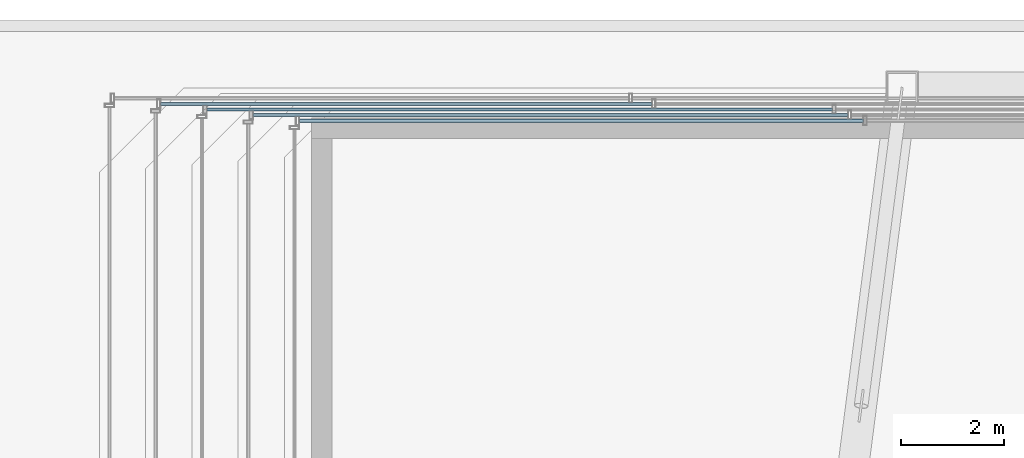
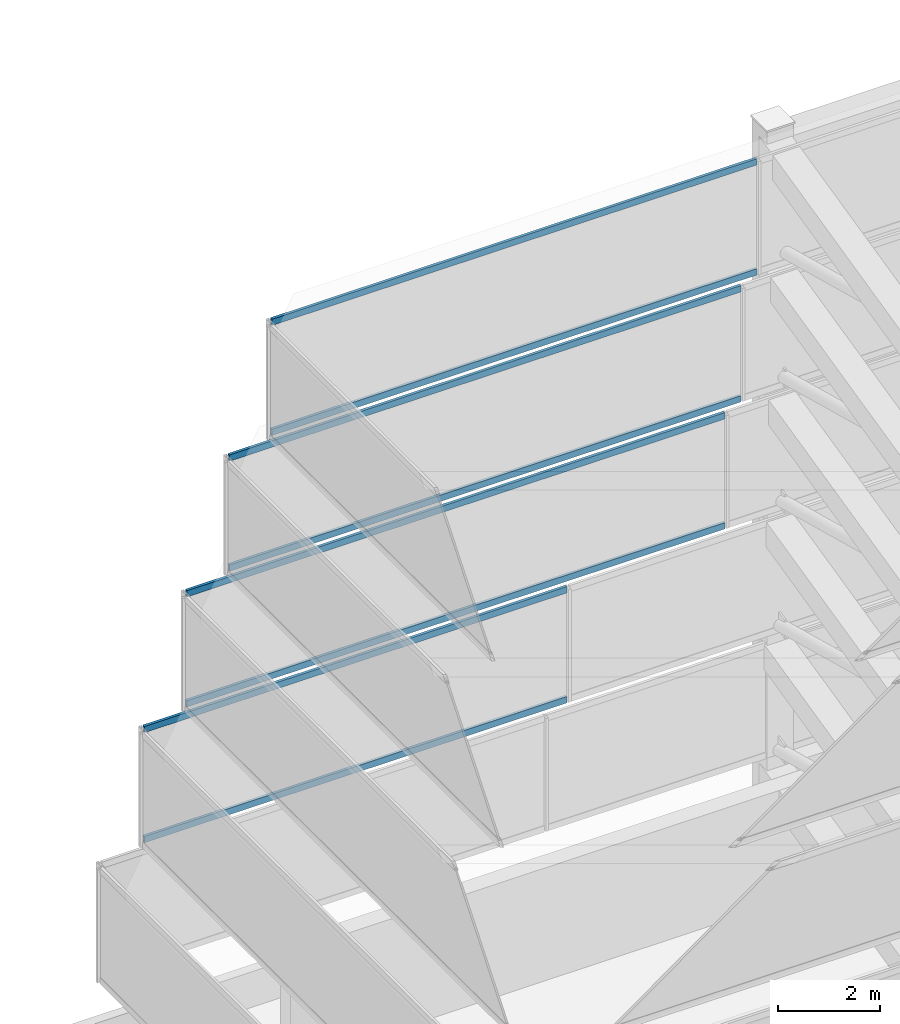
# One storey, part 13 of 29: 8 members, 4 elements without a shape of their own.
"""IFC4 building model written with IfcOpenShell, lengths in metres."""

from ifc_helpers import new_model, si_unit, direction, frame, origin, origin_2d, place, context, subcontext, project, spatial, hollow_rectangle, extrude, material, material_profile, profile_set, type_object, element, aggregate, save


model = new_model("IFC4")

# Units and contexts
model_context = context("Model", 3, precision=1e-05, world=origin(), true_north=direction((0.0, 1.0)))
body_context = subcontext(model_context, "Body", "Model", "MODEL_VIEW")
ifc_project = project(units=[si_unit("LENGTHUNIT", "METRE"), si_unit("AREAUNIT", "SQUARE_METRE"), si_unit("VOLUMEUNIT", "CUBIC_METRE"), si_unit("PLANEANGLEUNIT", "RADIAN"), si_unit("MASSUNIT", "GRAM", prefix="KILO")], contexts=[model_context])

# Site, building, storey
site_placement = place(None, origin())
site = spatial("IfcSite", under=ifc_project, at=site_placement, CompositionType="ELEMENT")
building_placement = place(site_placement, origin())
building = spatial("IfcBuilding", under=site, at=building_placement, Name="Saevonmaru Cultural Tower", CompositionType="ELEMENT")
storey_placement = place(building_placement, frame((0.0, 0.0, 327.60009765625)))
storey = spatial("IfcBuildingStorey", under=building, at=storey_placement, Name="RF", CompositionType="ELEMENT", Elevation=327.60009765625)

# Curtain wall, members
ifc_material = material(Name="Satin Bronze Anodised Aluminium", Category="aluminium")
curtain_wall_type = type_object("IfcCurtainWallType", Name="CW-TYP-B", PredefinedType="NOTDEFINED", material=ifc_material)
curtain_wall_1_placement = place(storey_placement, origin())
curtain_wall_1 = element("IfcCurtainWall", 1, at=curtain_wall_1_placement, inside=storey, type_object=curtain_wall_type, Name="RF Ziggurat Crown Tier 3 Bronze Louvre Screen 3", PredefinedType="NOTDEFINED")
ifc_material_profile = material_profile(ifc_material, hollow_rectangle(XDim=0.06494140625, YDim=0.14990234375, WallThickness=0.00390625, at=origin_2d()), Name="ALU-TRAN-150x65x4")
ifc_profile_set = profile_set([ifc_material_profile], Name="Satin Bronze Anodised Aluminium")
member_type = type_object("IfcMemberType", Name="TR-CW-150x65", PredefinedType="USERDEFINED", material=ifc_profile_set)
member_1_placement = place(storey_placement, frame((20.333984375, 54.47607421875, 6.032470703125), z_axis=(-1.0, 0.0, 0.0), x_axis=(0.0, -1.0, 0.0)))
member_1 = element("IfcMember", 2, at=member_1_placement, type_object=member_type, Name="CW-CROWN-T3-3 transom 4.1", ObjectType="TRANSOM", PredefinedType="USERDEFINED", context=body_context, shape_type="SweptSolid", body=[
    extrude(hollow_rectangle(XDim=0.06494140625, YDim=0.14990234375, WallThickness=0.00390625, at=origin_2d()), origin(), (0.0, 0.0, 1.0), 9.568603515625),
])
member_2_placement = place(storey_placement, frame((20.333984375, 54.47607421875, 8.66748046875), z_axis=(-1.0, 0.0, 0.0), x_axis=(0.0, -1.0, 0.0)))
member_2 = element("IfcMember", 3, at=member_2_placement, type_object=member_type, Name="CW-CROWN-T3-3 transom 4.2", ObjectType="TRANSOM", PredefinedType="USERDEFINED", context=body_context, shape_type="SweptSolid", body=[
    extrude(hollow_rectangle(XDim=0.06494140625, YDim=0.14990234375, WallThickness=0.00390625, at=origin_2d()), origin(), (0.0, 0.0, 1.0), 9.568603515625),
])
aggregate(curtain_wall_1, [member_1, member_2])

curtain_wall_2_placement = place(storey_placement, origin())
curtain_wall_2 = element("IfcCurtainWall", 4, at=curtain_wall_2_placement, inside=storey, type_object=curtain_wall_type, Name="RF Ziggurat Crown Tier 4 Bronze Louvre Screen 3", PredefinedType="NOTDEFINED")
member_3_placement = place(storey_placement, frame((23.84521484375, 54.367919921875, 9.032470703125), z_axis=(-1.0, 0.0, 0.0), x_axis=(0.0, -1.0, 0.0)))
member_3 = element("IfcMember", 5, at=member_3_placement, type_object=member_type, Name="CW-CROWN-T4-3 transom 3.1", ObjectType="TRANSOM", PredefinedType="USERDEFINED", context=body_context, shape_type="SweptSolid", body=[
    extrude(hollow_rectangle(XDim=0.06494140625, YDim=0.14990234375, WallThickness=0.00390625, at=origin_2d()), origin(), (0.0, 0.0, 1.0), 12.1796875),
])
member_4_placement = place(storey_placement, frame((23.84521484375, 54.367919921875, 11.66748046875), z_axis=(-1.0, 0.0, 0.0), x_axis=(0.0, -1.0, 0.0)))
member_4 = element("IfcMember", 6, at=member_4_placement, type_object=member_type, Name="CW-CROWN-T4-3 transom 3.2", ObjectType="TRANSOM", PredefinedType="USERDEFINED", context=body_context, shape_type="SweptSolid", body=[
    extrude(hollow_rectangle(XDim=0.06494140625, YDim=0.14990234375, WallThickness=0.00390625, at=origin_2d()), origin(), (0.0, 0.0, 1.0), 12.1796875),
])
aggregate(curtain_wall_2, [member_3, member_4])

curtain_wall_3_placement = place(storey_placement, origin())
curtain_wall_3 = element("IfcCurtainWall", 7, at=curtain_wall_3_placement, inside=storey, type_object=curtain_wall_type, Name="RF Ziggurat Crown Tier 5 Bronze Louvre Screen 3", PredefinedType="NOTDEFINED")
member_5_placement = place(storey_placement, frame((24.145263671875, 54.260009765625, 12.032470703125), z_axis=(-1.0, 0.0, 0.0), x_axis=(0.0, -1.0, 0.0)))
member_5 = element("IfcMember", 8, at=member_5_placement, type_object=member_type, Name="CW-CROWN-T5-3 transom 3.1", ObjectType="TRANSOM", PredefinedType="USERDEFINED", context=body_context, shape_type="SweptSolid", body=[
    extrude(hollow_rectangle(XDim=0.06494140625, YDim=0.14990234375, WallThickness=0.00390625, at=origin_2d()), origin(), (0.0, 0.0, 1.0), 11.579833984375),
])
member_6_placement = place(storey_placement, frame((24.145263671875, 54.260009765625, 14.66748046875), z_axis=(-1.0, 0.0, 0.0), x_axis=(0.0, -1.0, 0.0)))
member_6 = element("IfcMember", 9, at=member_6_placement, type_object=member_type, Name="CW-CROWN-T5-3 transom 3.2", ObjectType="TRANSOM", PredefinedType="USERDEFINED", context=body_context, shape_type="SweptSolid", body=[
    extrude(hollow_rectangle(XDim=0.06494140625, YDim=0.14990234375, WallThickness=0.00390625, at=origin_2d()), origin(), (0.0, 0.0, 1.0), 11.579833984375),
])
aggregate(curtain_wall_3, [member_5, member_6])

curtain_wall_4_placement = place(storey_placement, origin())
curtain_wall_4 = element("IfcCurtainWall", 10, at=curtain_wall_4_placement, inside=storey, type_object=curtain_wall_type, Name="RF Ziggurat Crown Tier 6 Bronze Louvre Screen 3", PredefinedType="NOTDEFINED")
member_7_placement = place(storey_placement, frame((24.445068359375, 54.152099609375, 15.032470703125), z_axis=(-1.0, 0.0, 0.0), x_axis=(0.0, -1.0, 0.0)))
member_7 = element("IfcMember", 11, at=member_7_placement, type_object=member_type, Name="CW-CROWN-T6-3 transom 3.1", ObjectType="TRANSOM", PredefinedType="USERDEFINED", context=body_context, shape_type="SweptSolid", body=[
    extrude(hollow_rectangle(XDim=0.06494140625, YDim=0.14990234375, WallThickness=0.00390625, at=origin_2d()), origin(), (0.0, 0.0, 1.0), 10.9794921875),
])
member_8_placement = place(storey_placement, frame((24.445068359375, 54.152099609375, 17.66748046875), z_axis=(-1.0, 0.0, 0.0), x_axis=(0.0, -1.0, 0.0)))
member_8 = element("IfcMember", 12, at=member_8_placement, type_object=member_type, Name="CW-CROWN-T6-3 transom 3.2", ObjectType="TRANSOM", PredefinedType="USERDEFINED", context=body_context, shape_type="SweptSolid", body=[
    extrude(hollow_rectangle(XDim=0.06494140625, YDim=0.14990234375, WallThickness=0.00390625, at=origin_2d()), origin(), (0.0, 0.0, 1.0), 10.9794921875),
])
aggregate(curtain_wall_4, [member_7, member_8])

save(model, "model.ifc")
